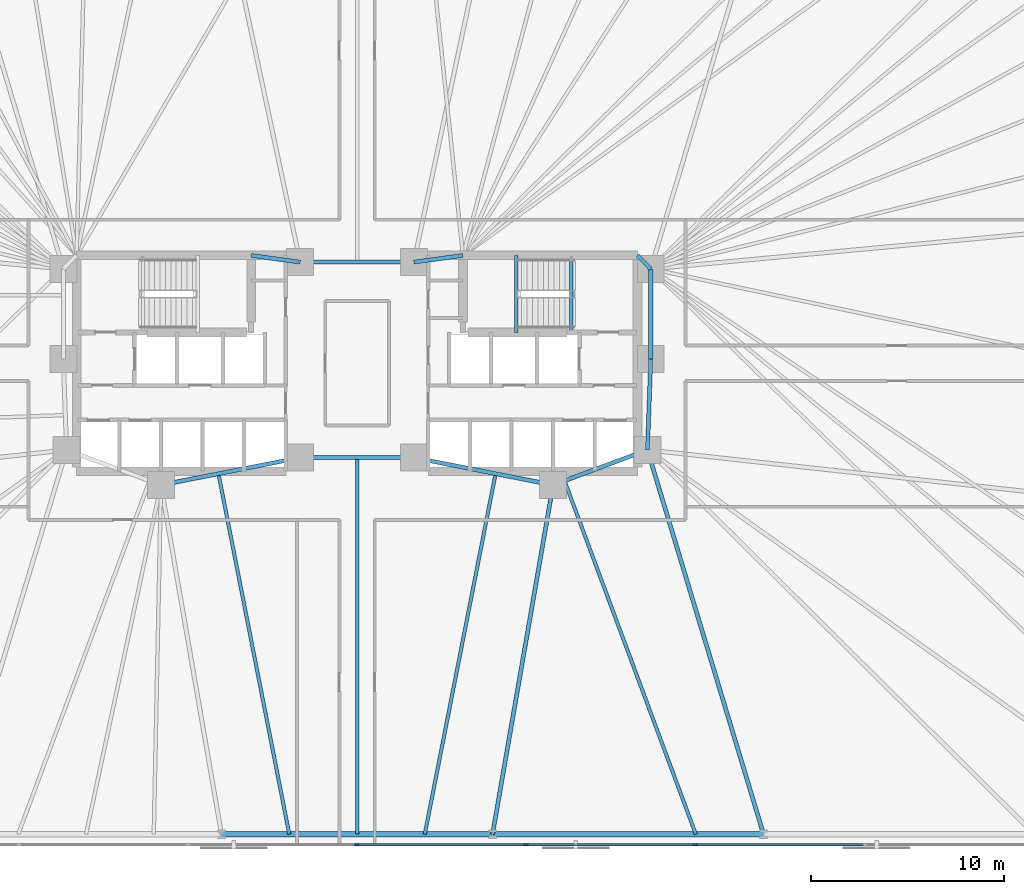
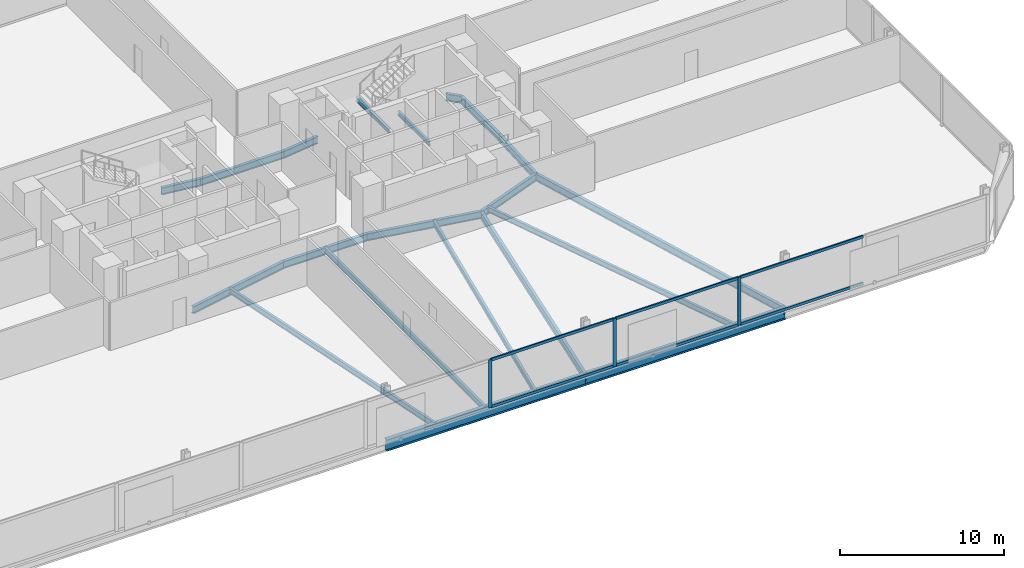
# One storey, part 7 of 16: 20 beams, 9 members, 1 element without a shape of its own.
"""IFC4 building model written with IfcOpenShell, lengths in metres."""

from ifc_helpers import new_model, si_unit, direction, frame, origin, origin_2d, place, context, subcontext, project, spatial, rectangle, i_section, extrude, material, material_profile, profile_set, type_object, element, aggregate, save


model = new_model("IFC4")

# Units and contexts
model_context = context("Model", 3, precision=1e-05, world=origin(), true_north=direction((0.0, 1.0)))
body_context = subcontext(model_context, "Body", "Model", "MODEL_VIEW")
ifc_project = project(units=[si_unit("LENGTHUNIT", "METRE"), si_unit("AREAUNIT", "SQUARE_METRE"), si_unit("VOLUMEUNIT", "CUBIC_METRE"), si_unit("PLANEANGLEUNIT", "RADIAN"), si_unit("MASSUNIT", "GRAM", prefix="KILO")], contexts=[model_context])

# Site, building, storey
site_placement = place(None, origin())
site = spatial("IfcSite", under=ifc_project, at=site_placement, CompositionType="ELEMENT")
building_placement = place(site_placement, origin())
building = spatial("IfcBuilding", under=site, at=building_placement, Name="Menara Jurai Vektor", CompositionType="ELEMENT")
storey_placement = place(building_placement, frame((0.0, 0.0, 40.800048828125)))
storey = spatial("IfcBuildingStorey", under=building, at=storey_placement, Name="L09", CompositionType="ELEMENT", Elevation=40.800048828125)

# Curtain wall, members
ifc_material_1 = material(Name="Anodised Pale Aluminium & Low-E Double Glazing", Category="aluminium")
curtain_wall_type = type_object("IfcCurtainWallType", Name="CW-BLK1", PredefinedType="NOTDEFINED", material=ifc_material_1)
curtain_wall_placement = place(storey_placement, origin())
curtain_wall = element("IfcCurtainWall", 1, at=curtain_wall_placement, inside=storey, type_object=curtain_wall_type, Name="Unitised Curtain Wall L09 F01", PredefinedType="NOTDEFINED")
ifc_material_2 = material(Name="Anodised Pale Aluminium Mullion", Category="aluminium")
ifc_material_profile_1 = material_profile(ifc_material_2, rectangle(XDim=0.094970703125, YDim=0.239990234375, at=origin_2d()), Name="ALU MUL 95x240")
ifc_profile_set_1 = profile_set([ifc_material_profile_1], Name="Anodised Pale Aluminium Mullion")
member_type_1 = type_object("IfcMemberType", Name="CW-BLK1-MUL", PredefinedType="MULLION", material=ifc_profile_set_1)
member_1_placement = place(storey_placement, frame((0.0, -25.0, 0.0), z_axis=(0.0, 0.0, 1.0), x_axis=(0.0, 1.0, 0.0)))
member_1 = element("IfcMember", 2, at=member_1_placement, type_object=member_type_1, Name="CW-01 mullion 5", PredefinedType="MULLION", context=body_context, shape_type="SweptSolid", body=[
    extrude(rectangle(XDim=0.094970703125, YDim=0.239990234375, at=origin_2d()), origin(), (0.0, 0.0, 1.0), 3.574951171875),
])
member_2_placement = place(storey_placement, frame((8.780029296875, -25.0, 0.0), z_axis=(0.0, 0.0, 1.0), x_axis=(0.0, 1.0, 0.0)))
member_2 = element("IfcMember", 3, at=member_2_placement, type_object=member_type_1, Name="CW-01 mullion 6", PredefinedType="MULLION", context=body_context, shape_type="SweptSolid", body=[
    extrude(rectangle(XDim=0.094970703125, YDim=0.239990234375, at=origin_2d()), origin(), (0.0, 0.0, 1.0), 3.574951171875),
])
member_3_placement = place(storey_placement, frame((17.56005859375, -25.0, 0.0), z_axis=(0.0, 0.0, 1.0), x_axis=(0.0, 1.0, 0.0)))
member_3 = element("IfcMember", 4, at=member_3_placement, type_object=member_type_1, Name="CW-01 mullion 7", PredefinedType="MULLION", context=body_context, shape_type="SweptSolid", body=[
    extrude(rectangle(XDim=0.094970703125, YDim=0.239990234375, at=origin_2d()), origin(), (0.0, 0.0, 1.0), 3.574951171875),
])
ifc_material_3 = material(Name="Anodised Pale Aluminium Transom", Category="aluminium")
ifc_material_profile_2 = material_profile(ifc_material_3, rectangle(XDim=0.094970703125, YDim=0.199951171875, at=origin_2d()), Name="ALU TRN 95x200")
ifc_profile_set_2 = profile_set([ifc_material_profile_2], Name="Anodised Pale Aluminium Transom")
member_type_2 = type_object("IfcMemberType", Name="CW-BLK1-TRN", PredefinedType="USERDEFINED", material=ifc_profile_set_2)
member_4_placement = place(storey_placement, frame((0.047607421875, -25.0, 0.04736328125), z_axis=(1.0, 0.0, 0.0), x_axis=(0.0, 1.0, 0.0)))
member_4 = element("IfcMember", 5, at=member_4_placement, type_object=member_type_2, Name="CW-01 transom 5.1", ObjectType="TRANSOM", PredefinedType="USERDEFINED", context=body_context, shape_type="SweptSolid", body=[
    extrude(rectangle(XDim=0.094970703125, YDim=0.199951171875, at=origin_2d()), origin(), (0.0, 0.0, 1.0), 8.684814453125),
])
member_5_placement = place(storey_placement, frame((0.047607421875, -25.0, 3.52734375), z_axis=(1.0, 0.0, 0.0), x_axis=(0.0, 1.0, 0.0)))
member_5 = element("IfcMember", 6, at=member_5_placement, type_object=member_type_2, Name="CW-01 transom 5.2", ObjectType="TRANSOM", PredefinedType="USERDEFINED", context=body_context, shape_type="SweptSolid", body=[
    extrude(rectangle(XDim=0.094970703125, YDim=0.199951171875, at=origin_2d()), origin(), (0.0, 0.0, 1.0), 8.684814453125),
])
member_6_placement = place(storey_placement, frame((8.827392578125, -25.0, 0.04736328125), z_axis=(1.0, 0.0, 0.0), x_axis=(0.0, 1.0, 0.0)))
member_6 = element("IfcMember", 7, at=member_6_placement, type_object=member_type_2, Name="CW-01 transom 6.1", ObjectType="TRANSOM", PredefinedType="USERDEFINED", context=body_context, shape_type="SweptSolid", body=[
    extrude(rectangle(XDim=0.094970703125, YDim=0.199951171875, at=origin_2d()), origin(), (0.0, 0.0, 1.0), 8.68505859375),
])
member_7_placement = place(storey_placement, frame((8.827392578125, -25.0, 3.52734375), z_axis=(1.0, 0.0, 0.0), x_axis=(0.0, 1.0, 0.0)))
member_7 = element("IfcMember", 8, at=member_7_placement, type_object=member_type_2, Name="CW-01 transom 6.2", ObjectType="TRANSOM", PredefinedType="USERDEFINED", context=body_context, shape_type="SweptSolid", body=[
    extrude(rectangle(XDim=0.094970703125, YDim=0.199951171875, at=origin_2d()), origin(), (0.0, 0.0, 1.0), 8.68505859375),
])
member_8_placement = place(storey_placement, frame((17.607421875, -25.0, 0.04736328125), z_axis=(1.0, 0.0, 0.0), x_axis=(0.0, 1.0, 0.0)))
member_8 = element("IfcMember", 9, at=member_8_placement, type_object=member_type_2, Name="CW-01 transom 7.1", ObjectType="TRANSOM", PredefinedType="USERDEFINED", context=body_context, shape_type="SweptSolid", body=[
    extrude(rectangle(XDim=0.094970703125, YDim=0.199951171875, at=origin_2d()), origin(), (0.0, 0.0, 1.0), 8.68505859375),
])
member_9_placement = place(storey_placement, frame((17.607421875, -25.0, 3.52734375), z_axis=(1.0, 0.0, 0.0), x_axis=(0.0, 1.0, 0.0)))
member_9 = element("IfcMember", 10, at=member_9_placement, type_object=member_type_2, Name="CW-01 transom 7.2", ObjectType="TRANSOM", PredefinedType="USERDEFINED", context=body_context, shape_type="SweptSolid", body=[
    extrude(rectangle(XDim=0.094970703125, YDim=0.199951171875, at=origin_2d()), origin(), (0.0, 0.0, 1.0), 8.68505859375),
])
aggregate(curtain_wall, [member_1, member_2, member_3, member_4, member_5, member_6, member_7, member_8, member_9])

# Beams
ifc_material_4 = material(Name="Steel S355", Category="steel")
ifc_material_profile_3 = material_profile(ifc_material_4, i_section(OverallWidth=0.2109375, OverallDepth=0.5390625, WebThickness=0.011962890625, FlangeThickness=0.01904296875, FilletRadius=0.012939453125, at=origin_2d()), Name="UKB 533x210x109")
ifc_profile_set_3 = profile_set([ifc_material_profile_3], Name="Steel S355")
beam_type_1 = type_object("IfcBeamType", Name="STR-BM-533", PredefinedType="BEAM", material=ifc_profile_set_3)
beam_1_placement = place(storey_placement, frame((-5.5, 5.60009765625, -0.49462890625), z_axis=(0.990706818608, -0.136014703483, 0.0), x_axis=(0.136014703483, 0.990706818608, 0.0)))
element("IfcBeam", 11, at=beam_1_placement, inside=storey, type_object=beam_type_1, Name="Core Ring Header Girder L09-CHW-N2", PredefinedType="BEAM", context=body_context, shape_type="SweptSolid", body=[
    extrude(i_section(OverallWidth=0.2109375, OverallDepth=0.5390625, WebThickness=0.011962890625, FlangeThickness=0.01904296875, FilletRadius=0.012939453125, at=origin_2d()), origin(), (0.0, 0.0, 1.0), 2.573974609375),
])
beam_2_placement = place(storey_placement, frame((-10.179931640625, -6.320068359375, -0.49462890625), z_axis=(0.981249044334, 0.192744164614, 0.0), x_axis=(-0.192744164614, 0.981249044334, 0.0)))
element("IfcBeam", 12, at=beam_2_placement, inside=storey, type_object=beam_type_1, Name="Core Ring Header Girder L09-CHW-S2", PredefinedType="BEAM", context=body_context, shape_type="SweptSolid", body=[
    extrude(i_section(OverallWidth=0.2109375, OverallDepth=0.5390625, WebThickness=0.011962890625, FlangeThickness=0.01904296875, FilletRadius=0.012939453125, at=origin_2d()), origin(), (0.0, 0.0, 1.0), 7.3681640625),
])
beam_3_placement = place(storey_placement, frame((2.949951171875, 5.25, -0.49462890625), z_axis=(0.990706818608, 0.136014703483, 0.0), x_axis=(-0.136014703483, 0.990706818608, 0.0)))
element("IfcBeam", 13, at=beam_3_placement, inside=storey, type_object=beam_type_1, Name="Core Ring Header Girder L09-CHE-N1", PredefinedType="BEAM", context=body_context, shape_type="SweptSolid", body=[
    extrude(i_section(OverallWidth=0.2109375, OverallDepth=0.5390625, WebThickness=0.011962890625, FlangeThickness=0.01904296875, FilletRadius=0.012939453125, at=origin_2d()), origin(), (0.0, 0.0, 1.0), 2.573974609375),
])
beam_4_placement = place(storey_placement, frame((14.56005859375, 5.60009765625, -0.49462890625), z_axis=(0.701871936926, -0.712303154672, 0.0), x_axis=(0.712303154672, 0.701871936926, 0.0)))
element("IfcBeam", 14, at=beam_4_placement, inside=storey, type_object=beam_type_1, Name="Core Ring Header Girder L09-CHE-N2", PredefinedType="BEAM", context=body_context, shape_type="SweptSolid", body=[
    extrude(i_section(OverallWidth=0.2109375, OverallDepth=0.5390625, WebThickness=0.011962890625, FlangeThickness=0.01904296875, FilletRadius=0.012939453125, at=origin_2d()), origin(), (0.0, 0.0, 1.0), 0.98291015625),
])
beam_5_placement = place(storey_placement, frame((15.25, 0.219970703125, -0.49462890625), z_axis=(0.0, 1.0, 0.0), x_axis=(-1.0, 0.0, 0.0)))
element("IfcBeam", 15, at=beam_5_placement, inside=storey, type_object=beam_type_1, Name="Core Ring Header Girder L09-CHE-E1", PredefinedType="BEAM", context=body_context, shape_type="SweptSolid", body=[
    extrude(i_section(OverallWidth=0.2109375, OverallDepth=0.5390625, WebThickness=0.011962890625, FlangeThickness=0.01904296875, FilletRadius=0.012939453125, at=origin_2d()), origin(), (0.0, 0.0, 1.0), 4.679931640625),
])
beam_6_placement = place(storey_placement, frame((15.080078125, -4.5, -0.49462890625), z_axis=(0.035977314146, 0.999352606874, 0.0), x_axis=(-0.999352606874, 0.035977314146, 0.0)))
element("IfcBeam", 16, at=beam_6_placement, inside=storey, type_object=beam_type_1, Name="Core Ring Header Girder L09-CHE-E2", PredefinedType="BEAM", context=body_context, shape_type="SweptSolid", body=[
    extrude(i_section(OverallWidth=0.2109375, OverallDepth=0.5390625, WebThickness=0.011962890625, FlangeThickness=0.01904296875, FilletRadius=0.012939453125, at=origin_2d()), origin(), (0.0, 0.0, 1.0), 4.72314453125),
])
beam_7_placement = place(storey_placement, frame((10.179931640625, -6.320068359375, -0.49462890625), z_axis=(0.937424400887, 0.348188874925, 0.0), x_axis=(-0.348188874925, 0.937424400887, 0.0)))
element("IfcBeam", 17, at=beam_7_placement, inside=storey, type_object=beam_type_1, Name="Core Ring Header Girder L09-CHE-S1", PredefinedType="BEAM", context=body_context, shape_type="SweptSolid", body=[
    extrude(i_section(OverallWidth=0.2109375, OverallDepth=0.5390625, WebThickness=0.011962890625, FlangeThickness=0.01904296875, FilletRadius=0.012939453125, at=origin_2d()), origin(), (0.0, 0.0, 1.0), 5.227294921875),
])
beam_8_placement = place(storey_placement, frame((2.949951171875, -4.89990234375, -0.49462890625), z_axis=(0.981249044334, -0.192744164614, 0.0), x_axis=(0.192744164614, 0.981249044334, 0.0)))
element("IfcBeam", 18, at=beam_8_placement, inside=storey, type_object=beam_type_1, Name="Core Ring Header Girder L09-CHE-S2", PredefinedType="BEAM", context=body_context, shape_type="SweptSolid", body=[
    extrude(i_section(OverallWidth=0.2109375, OverallDepth=0.5390625, WebThickness=0.011962890625, FlangeThickness=0.01904296875, FilletRadius=0.012939453125, at=origin_2d()), origin(), (0.0, 0.0, 1.0), 7.3681640625),
])
for number, where, z_axis, x_axis, name in (
    (19, (-2.949951171875, -4.89990234375, -0.49462890625), (1.0, 0.0, 0.0), (0.0, 1.0, 0.0), "Core Ring Header Girder L09-CC-1"),
    (20, (-2.949951171875, 5.25, -0.49462890625), (1.0, 0.0, 0.0), (0.0, 1.0, 0.0), "Core Ring Header Girder L09-CC-2"),
):
    element("IfcBeam", number, at=place(storey_placement, frame(where, z_axis=z_axis, x_axis=x_axis)), inside=storey, type_object=beam_type_1, Name=name, PredefinedType="BEAM", context=body_context, shape_type="SweptSolid", body=[
        extrude(i_section(OverallWidth=0.2109375, OverallDepth=0.5390625, WebThickness=0.011962890625, FlangeThickness=0.01904296875, FilletRadius=0.012939453125, at=origin_2d()), origin(), (0.0, 0.0, 1.0), 5.89990234375),
    ])
beam_9_placement = place(storey_placement, frame((7.03564453125, -24.449951171875, -0.49462890625), z_axis=(0.170880325642, 0.985291791455, 0.0), x_axis=(-0.985291791455, 0.170880325642, 0.0)))
element("IfcBeam", 21, at=beam_9_placement, inside=storey, type_object=beam_type_1, Name="Radial Floor Girder L09-S4", PredefinedType="BEAM", context=body_context, shape_type="SweptSolid", body=[
    extrude(i_section(OverallWidth=0.2109375, OverallDepth=0.5390625, WebThickness=0.011962890625, FlangeThickness=0.01904296875, FilletRadius=0.012939453125, at=origin_2d()), origin(), (0.0, 0.0, 1.0), 18.400634765625),
])
beam_10_placement = place(storey_placement, frame((21.106689453125, -24.449951171875, -0.49462890625), z_axis=(-0.289179812203, 0.957274796604, 0.0), x_axis=(-0.957274796604, -0.289179812203, 0.0)))
element("IfcBeam", 22, at=beam_10_placement, inside=storey, type_object=beam_type_1, Name="Radial Floor Girder L09-S5", PredefinedType="BEAM", context=body_context, shape_type="SweptSolid", body=[
    extrude(i_section(OverallWidth=0.2109375, OverallDepth=0.5390625, WebThickness=0.011962890625, FlangeThickness=0.01904296875, FilletRadius=0.012939453125, at=origin_2d()), origin(), (0.0, 0.0, 1.0), 20.84033203125),
])
ifc_material_profile_4 = material_profile(ifc_material_4, i_section(OverallWidth=0.178955078125, OverallDepth=0.408935546875, WebThickness=0.009033203125, FlangeThickness=0.013916015625, FilletRadius=0.010009765625, at=origin_2d()), Name="UKB 406x178x67")
ifc_profile_set_4 = profile_set([ifc_material_profile_4], Name="Steel S355")
beam_type_2 = type_object("IfcBeamType", Name="STR-JS-406", PredefinedType="JOIST", material=ifc_profile_set_4)
beam_11_placement = place(storey_placement, frame((-3.517822265625, -24.449951171875, -0.429443359375), z_axis=(-0.192723076671, 0.981253186348, 0.0), x_axis=(-0.981253186348, -0.192723076671, 0.0)))
element("IfcBeam", 23, at=beam_11_placement, inside=storey, type_object=beam_type_2, Name="Radial Secondary Floor Joist L09-JS04", PredefinedType="JOIST", context=body_context, shape_type="SweptSolid", body=[
    extrude(i_section(OverallWidth=0.178955078125, OverallDepth=0.408935546875, WebThickness=0.009033203125, FlangeThickness=0.013916015625, FilletRadius=0.010009765625, at=origin_2d()), origin(), (0.0, 0.0, 1.0), 19.07421875),
])
beam_12_placement = place(storey_placement, frame((0.0, -24.449951171875, -0.429443359375), z_axis=(0.0, 1.0, 0.0), x_axis=(-1.0, 0.0, 0.0)))
element("IfcBeam", 24, at=beam_12_placement, inside=storey, type_object=beam_type_2, Name="Radial Secondary Floor Joist L09-JS05", PredefinedType="JOIST", context=body_context, shape_type="SweptSolid", body=[
    extrude(i_section(OverallWidth=0.178955078125, OverallDepth=0.408935546875, WebThickness=0.009033203125, FlangeThickness=0.013916015625, FilletRadius=0.010009765625, at=origin_2d()), origin(), (0.0, 0.0, 1.0), 19.550048828125),
])
beam_13_placement = place(storey_placement, frame((3.517822265625, -24.449951171875, -0.429443359375), z_axis=(0.192723076671, 0.981253186348, 0.0), x_axis=(-0.981253186348, 0.192723076671, 0.0)))
element("IfcBeam", 25, at=beam_13_placement, inside=storey, type_object=beam_type_2, Name="Radial Secondary Floor Joist L09-JS06", PredefinedType="JOIST", context=body_context, shape_type="SweptSolid", body=[
    extrude(i_section(OverallWidth=0.178955078125, OverallDepth=0.408935546875, WebThickness=0.009033203125, FlangeThickness=0.013916015625, FilletRadius=0.010009765625, at=origin_2d()), origin(), (0.0, 0.0, 1.0), 19.07421875),
])
beam_14_placement = place(storey_placement, frame((17.5888671875, -24.449951171875, -0.429443359375), z_axis=(-0.348179014223, 0.937428063403, 0.0), x_axis=(-0.937428063403, -0.348179014223, 0.0)))
element("IfcBeam", 26, at=beam_14_placement, inside=storey, type_object=beam_type_2, Name="Radial Secondary Floor Joist L09-JS07", PredefinedType="JOIST", context=body_context, shape_type="SweptSolid", body=[
    extrude(i_section(OverallWidth=0.178955078125, OverallDepth=0.408935546875, WebThickness=0.009033203125, FlangeThickness=0.013916015625, FilletRadius=0.010009765625, at=origin_2d()), origin(), (0.0, 0.0, 1.0), 19.5751953125),
])
ifc_material_profile_5 = material_profile(ifc_material_4, i_section(OverallWidth=0.1650390625, OverallDepth=0.302978515625, WebThickness=0.006103515625, FlangeThickness=0.010009765625, FilletRadius=0.009033203125, at=origin_2d()), Name="UKB 305x165x40")
ifc_profile_set_5 = profile_set([ifc_material_profile_5], Name="Steel S355")
beam_type_3 = type_object("IfcBeamType", Name="STR-LN-305", PredefinedType="LINTEL", material=ifc_profile_set_5)
beam_15_placement = place(storey_placement, frame((11.1201171875, 1.60009765625, -0.37646484375), z_axis=(0.0, 1.0, 0.0), x_axis=(-1.0, 0.0, 0.0)))
element("IfcBeam", 27, at=beam_15_placement, inside=storey, type_object=beam_type_3, Name="Stair Well Floor Trimmer ST2 L09", PredefinedType="LINTEL", context=body_context, shape_type="SweptSolid", body=[
    extrude(i_section(OverallWidth=0.1650390625, OverallDepth=0.302978515625, WebThickness=0.006103515625, FlangeThickness=0.010009765625, FilletRadius=0.009033203125, at=origin_2d()), origin(), (0.0, 0.0, 1.0), 3.81982421875),
])
beam_16_placement = place(storey_placement, frame((8.27001953125, 1.60009765625, 1.54833984375), z_axis=(0.0, 1.0, 0.0), x_axis=(-1.0, 0.0, 0.0)))
element("IfcBeam", 28, at=beam_16_placement, inside=storey, type_object=beam_type_3, Name="Stair Half-Landing Nosing Trimmer ST2-1 L09", PredefinedType="LINTEL", context=body_context, shape_type="SweptSolid", body=[
    extrude(i_section(OverallWidth=0.1650390625, OverallDepth=0.302978515625, WebThickness=0.006103515625, FlangeThickness=0.010009765625, FilletRadius=0.009033203125, at=origin_2d()), origin(), (0.0, 0.0, 1.0), 4.0),
])
ifc_material_5 = material(Name="Steel S460", Category="steel")
ifc_material_profile_6 = material_profile(ifc_material_5, i_section(OverallWidth=0.2939453125, OverallDepth=0.85107421875, WebThickness=0.01611328125, FlangeThickness=0.027099609375, FilletRadius=0.01806640625, at=origin_2d()), Name="UKB 838x292x226")
ifc_profile_set_6 = profile_set([ifc_material_profile_6], Name="Steel S460")
beam_type_4 = type_object("IfcBeamType", Name="STR-SP-838", PredefinedType="SPANDREL", material=ifc_profile_set_6)
beam_17_placement = place(storey_placement, frame((-7.03564453125, -24.449951171875, -0.650634765625), z_axis=(1.0, 0.0, 0.0), x_axis=(0.0, 1.0, 0.0)))
element("IfcBeam", 29, at=beam_17_placement, inside=storey, type_object=beam_type_4, Name="Exoskeleton Spandrel Beam L09-03", PredefinedType="SPANDREL", context=body_context, shape_type="SweptSolid", body=[
    extrude(i_section(OverallWidth=0.2939453125, OverallDepth=0.85107421875, WebThickness=0.01611328125, FlangeThickness=0.027099609375, FilletRadius=0.01806640625, at=origin_2d()), origin(), (0.0, 0.0, 1.0), 14.0712890625),
])
beam_18_placement = place(storey_placement, frame((7.03564453125, -24.449951171875, -0.650634765625), z_axis=(1.0, 0.0, 0.0), x_axis=(0.0, 1.0, 0.0)))
element("IfcBeam", 30, at=beam_18_placement, inside=storey, type_object=beam_type_4, Name="Exoskeleton Spandrel Beam L09-04", PredefinedType="SPANDREL", context=body_context, shape_type="SweptSolid", body=[
    extrude(i_section(OverallWidth=0.2939453125, OverallDepth=0.85107421875, WebThickness=0.01611328125, FlangeThickness=0.027099609375, FilletRadius=0.01806640625, at=origin_2d()), origin(), (0.0, 0.0, 1.0), 14.071044921875),
])

save(model, "model.ifc")
